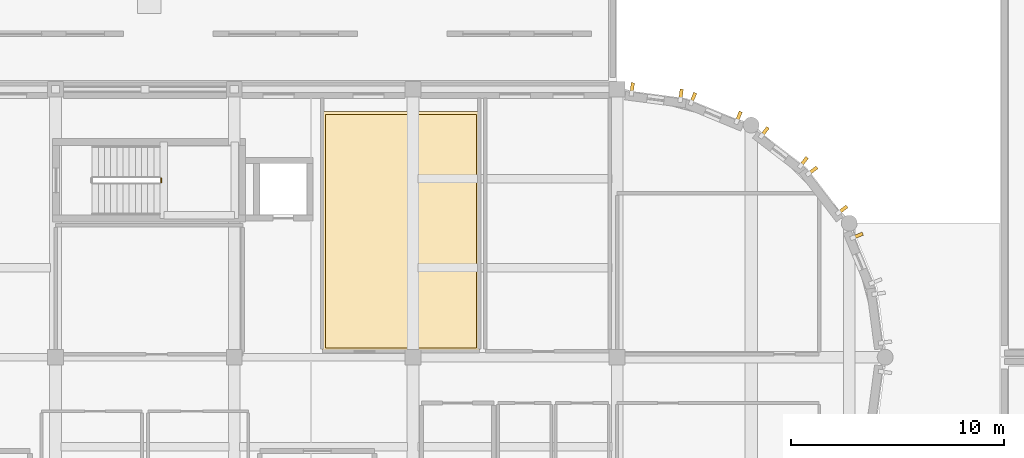
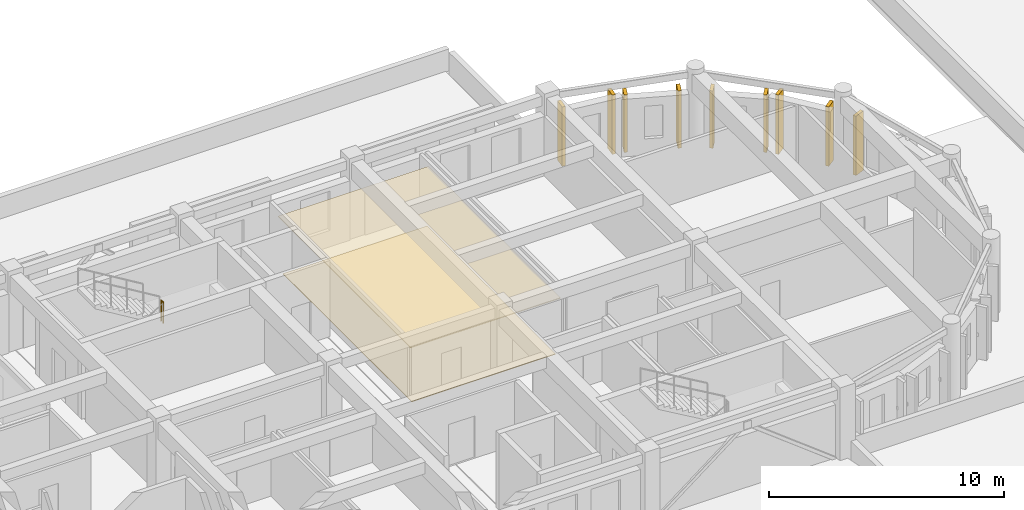
# One storey, part 45 of 46: 11 coverings, 1 railing.
"""IFC4 building model written with IfcOpenShell, lengths in metres."""

from ifc_helpers import new_model, si_unit, direction, frame, origin, origin_2d, place, context, subcontext, project, spatial, polyline, rectangle, circle, outline, extrude, material, layer, layer_set, type_object, element, save


model = new_model("IFC4")

# Units and contexts
model_context = context("Model", 3, precision=1e-05, world=origin(), true_north=direction((0.0, 1.0)))
body_context = subcontext(model_context, "Body", "Model", "MODEL_VIEW")
ifc_project = project(units=[si_unit("LENGTHUNIT", "METRE"), si_unit("AREAUNIT", "SQUARE_METRE"), si_unit("VOLUMEUNIT", "CUBIC_METRE"), si_unit("PLANEANGLEUNIT", "RADIAN"), si_unit("MASSUNIT", "GRAM", prefix="KILO")], contexts=[model_context])

# Site, building, storey
site_placement = place(None, origin())
site = spatial("IfcSite", under=ifc_project, at=site_placement, CompositionType="ELEMENT")
building_placement = place(site_placement, origin())
building = spatial("IfcBuilding", under=site, at=building_placement, Name="Tarnavel Promenade Courthouse", CompositionType="ELEMENT")
storey_placement = place(building_placement, frame((0.0, 0.0, 14.39990234375)))
storey = spatial("IfcBuildingStorey", under=building, at=storey_placement, Name="L04", CompositionType="ELEMENT", Elevation=14.39990234375)

# Coverings
ifc_material_1 = material(Name="Engineered Smoked Oak Courtroom & Chambers Parquet")
ifc_layer_1 = layer(ifc_material_1, 0.031982421875)
ifc_layer_set_1 = layer_set([ifc_layer_1], Name="Engineered Smoked Oak Courtroom & Chambers Parquet")
covering_type_1 = type_object("IfcCoveringType", Name="Engineered Smoked Oak Courtroom & Chambers Parquet (COV-FLR-OAK-32)", PredefinedType="FLOORING", material=ifc_layer_set_1)
covering_1_placement = place(storey_placement, origin())
element("IfcCovering", 1, at=covering_1_placement, inside=storey, type_object=covering_type_1, Name="L04 Judges' Chambers L04 North Architectural Flooring 0030", PredefinedType="FLOORING", context=body_context, shape_type="SweptSolid", body=[
    extrude(outline(polyline([(88.2900390625, 92.239990234375), (95.376953125, 92.239990234375), (95.376953125, 103.2099609375), (88.2900390625, 103.2099609375), (88.2900390625, 92.239990234375)])), origin(), (0.0, 0.0, 1.0), 0.031982421875),
])
ifc_material_2 = material(Name="Micro-Perforated Acoustic Mineral-Fibre Ceiling")
ifc_layer_2 = layer(ifc_material_2, 0.044921875)
ifc_layer_set_2 = layer_set([ifc_layer_2], Name="Micro-Perforated Acoustic Mineral-Fibre Ceiling")
covering_type_2 = type_object("IfcCoveringType", Name="Micro-Perforated Acoustic Mineral-Fibre Ceiling (COV-CLG-MIN-45)", PredefinedType="CEILING", material=ifc_layer_set_2)
covering_2_placement = place(storey_placement, frame((0.0, 0.0, 2.945068359375)))
element("IfcCovering", 2, at=covering_2_placement, inside=storey, type_object=covering_type_2, Name="L04 Judges' Chambers L04 North Acoustic Ceiling 0030", PredefinedType="CEILING", context=body_context, shape_type="SweptSolid", body=[
    extrude(outline(polyline([(88.139892578125, 92.090087890625), (95.527099609375, 92.090087890625), (95.527099609375, 103.360107421875), (88.139892578125, 103.360107421875), (88.139892578125, 92.090087890625)])), origin(), (0.0, 0.0, 1.0), 0.044921875),
])

# Railing
ifc_material_3 = material(Name="Painted Architectural Steel Core Stair Guardrail", Category="steel")
railing_type = type_object("IfcRailingType", Name="Painted Architectural Steel Core Stair Guardrail (RL-GRD-1100)", PredefinedType="GUARDRAIL", material=ifc_material_3)
railing_placement = place(storey_placement, frame((80.56005859375, 100.02001953125, 2.10009765625)))
element("IfcRailing", 3, at=railing_placement, inside=storey, type_object=railing_type, Name="L04 ST-03 stair guard 2", PredefinedType="GUARDRAIL", context=body_context, shape_type="SweptSolid", body=[
    extrude(circle(Radius=0.02392578125, at=origin_2d()), frame((0.0, 0.0, 1.076171875), z_axis=(0.0, 1.0, 0.0), x_axis=(-1.0, 0.0, 0.0)), (0.0, 0.0, 1.0), 0.199951171875),
    extrude(circle(Radius=0.02099609375, at=origin_2d()), origin(), (0.0, 0.0, 1.0), 1.052001953125),
    extrude(circle(Radius=0.02099609375, at=origin_2d()), frame((0.0, 0.199951171875, 0.0)), (0.0, 0.0, 1.0), 1.052001953125),
])

# Coverings
ifc_material_4 = material(Name="Patinated Copper-Bronze Fluted Pier Cladding")
ifc_layer_3 = layer(ifc_material_4, 0.52001953125)
ifc_layer_set_3 = layer_set([ifc_layer_3], Name="Patinated Copper-Bronze Fluted Pier Cladding")
covering_type_3 = type_object("IfcCoveringType", Name="Patinated Copper-Bronze Fluted Pier Cladding COV-PIER-520 (520 mm)", PredefinedType="CLADDING", material=ifc_layer_set_3)
for number, where, z_axis, x_axis, name in (
    (4, (113.30712890625, 97.511474609375, 0.0), (0.0, 0.0, 1.0), (-0.382683432365, 0.923879532511, 0.0), "L04 E Drum Fluted Copper Pier 0126"),
    (5, (112.599853515625, 98.736572265625, 0.0), (0.0, 0.0, 1.0), (-0.608761429009, 0.793353340291, 0.0), "L04 E Drum Fluted Copper Pier 0127"),
    (6, (111.191162109375, 100.572509765625, 0.0), (0.0, 0.0, 1.0), (-0.608761429009, 0.793353340291, 0.0), "L04 E Drum Fluted Copper Pier 0128"),
):
    element("IfcCovering", number, at=place(storey_placement, frame(where, z_axis=z_axis, x_axis=x_axis)), inside=storey, type_object=covering_type_3, Name=name, PredefinedType="CLADDING", context=body_context, shape_type="SweptSolid", body=[
        extrude(rectangle(XDim=0.159912109375, YDim=0.52001953125, at=origin_2d()), origin(), (0.0, 0.0, 1.0), 3.090087890625),
    ])
for number, where, z_axis, x_axis, name in (
    (7, (110.772705078125, 100.9912109375, 0.0), (0.0, 0.0, 1.0), (-0.793353340291, 0.608761429009, 0.0), "L04 E Drum Fluted Copper Pier 0129"),
    (8, (108.9365234375, 102.39990234375, 0.0), (0.0, 0.0, 1.0), (-0.793353340291, 0.608761429009, 0.0), "L04 E Drum Fluted Copper Pier 0130"),
    (9, (107.71142578125, 103.107177734375, 0.0), (0.0, 0.0, 1.0), (-0.923879532511, 0.382683432365, 0.0), "L04 E Drum Fluted Copper Pier 0131"),
    (10, (105.573486328125, 103.992919921875, 0.0), (0.0, 0.0, 1.0), (-0.923879532511, 0.382683432365, 0.0), "L04 E Drum Fluted Copper Pier 0132"),
):
    element("IfcCovering", number, at=place(storey_placement, frame(where, z_axis=z_axis, x_axis=x_axis)), inside=storey, type_object=covering_type_3, Name=name, PredefinedType="CLADDING", context=body_context, shape_type="SweptSolid", body=[
        extrude(rectangle(XDim=0.159912109375, YDim=0.52001953125, at=origin_2d()), origin(), (0.0, 0.0, 1.0), 2.989990234375),
    ])
for number, where, z_axis, x_axis, name in (
    (11, (105.001708984375, 104.14599609375, 0.0), (0.0, 0.0, 1.0), (-0.991444861374, 0.13052619222, 0.0), "L04 E Drum Fluted Copper Pier 0133"),
    (12, (102.707275390625, 104.447998046875, 0.0), (0.0, 0.0, 1.0), (-0.991444861374, 0.13052619222, 0.0), "L04 E Drum Fluted Copper Pier 0134"),
):
    element("IfcCovering", number, at=place(storey_placement, frame(where, z_axis=z_axis, x_axis=x_axis)), inside=storey, type_object=covering_type_3, Name=name, PredefinedType="CLADDING", context=body_context, shape_type="SweptSolid", body=[
        extrude(rectangle(XDim=0.159912109375, YDim=0.52001953125, at=origin_2d()), origin(), (0.0, 0.0, 1.0), 3.090087890625),
    ])

save(model, "model.ifc")
